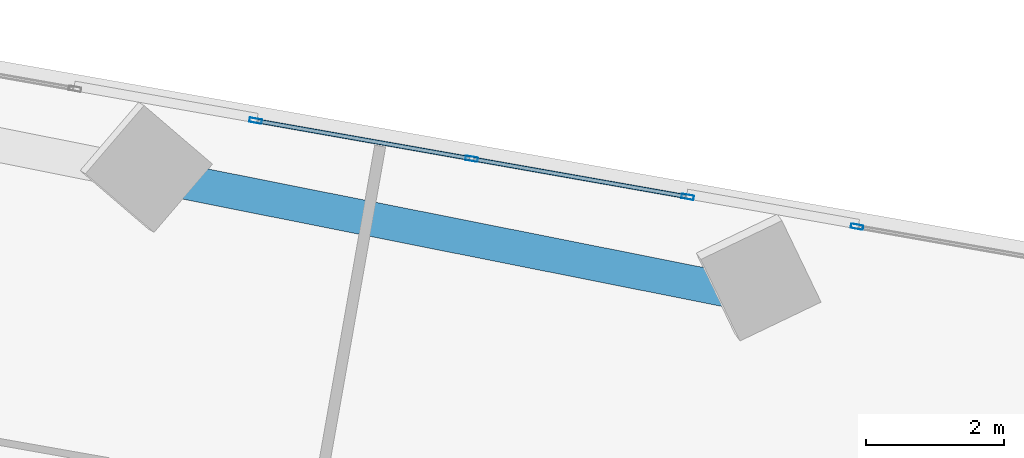
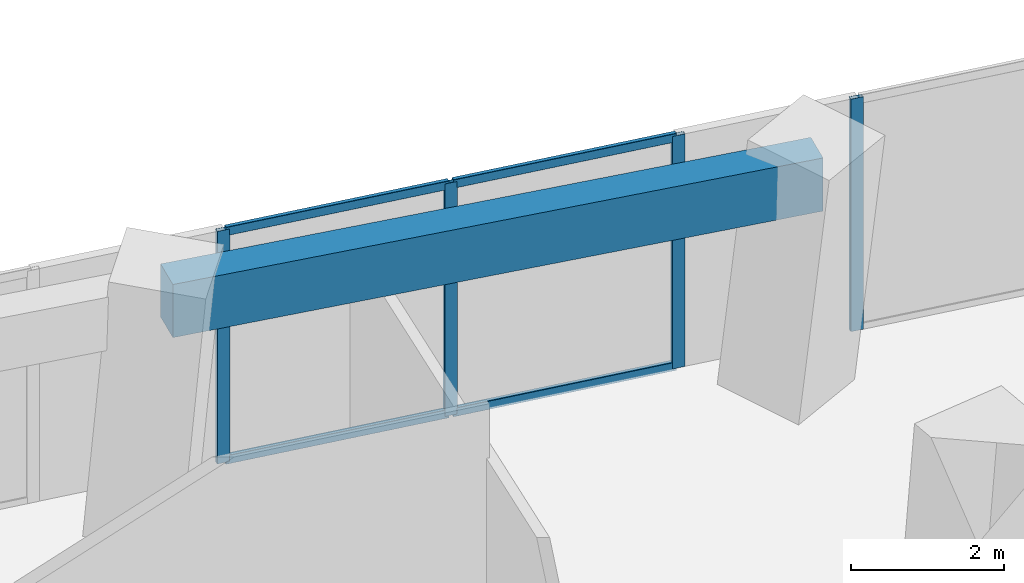
# One storey, part 17 of 24: 8 members, 1 beam, 2 elements without a shape of their own.
"""IFC4 building model written with IfcOpenShell, lengths in metres."""

from ifc_helpers import new_model, si_unit, direction, frame, origin, origin_2d, place, context, subcontext, project, spatial, rectangle, hollow_rectangle, extrude, source, transform, mapped, material, material_profile, profile_set, type_object, element, aggregate, save


model = new_model("IFC4")

# Units and contexts
model_context = context("Model", 3, precision=1e-05, world=origin(), true_north=direction((0.0, 1.0)))
body_context = subcontext(model_context, "Body", "Model", "MODEL_VIEW")
ifc_project = project(units=[si_unit("LENGTHUNIT", "METRE"), si_unit("AREAUNIT", "SQUARE_METRE"), si_unit("VOLUMEUNIT", "CUBIC_METRE"), si_unit("PLANEANGLEUNIT", "RADIAN"), si_unit("MASSUNIT", "GRAM", prefix="KILO")], contexts=[model_context])

# Site, building, storey
site_placement = place(None, origin())
site = spatial("IfcSite", under=ifc_project, at=site_placement, CompositionType="ELEMENT")
building_placement = place(site_placement, origin())
building = spatial("IfcBuilding", under=site, at=building_placement, Name="Torre Montelarca", CompositionType="ELEMENT")
storey_placement = place(building_placement, frame((0.0, 0.0, 79.0)))
storey = spatial("IfcBuildingStorey", under=building, at=storey_placement, Name="L17", CompositionType="ELEMENT", Elevation=79.0)

# Beam
ifc_material_1 = material(Name="Concrete C55/67", Category="concrete")
ifc_material_profile_1 = material_profile(ifc_material_1, rectangle(XDim=0.5, YDim=0.85009765625, at=origin_2d()), Name="RCB500X850", Category="concrete")
ifc_profile_set_1 = profile_set([ifc_material_profile_1], Name="Concrete C55/67")
beam_type = type_object("IfcBeamType", Name="BM-SP-RC850-EXT", PredefinedType="SPANDREL", material=ifc_profile_set_1)
shared_shape_1 = source(origin(), body_context, "Body", "SweptSolid", [
    extrude(rectangle(XDim=0.5, YDim=0.85009765625, at=origin_2d()), origin(), (0.0, 0.0, 1.0), 9.0),
])
beam_placement = place(storey_placement, frame((29.849853515625, 45.785888671875, 3.534912109375), z_axis=(0.980784634475, -0.195093569287, 0.0), x_axis=(0.195093569287, 0.980784634475, 0.0)))
element("IfcBeam", 1, at=beam_placement, inside=storey, type_object=beam_type, Name="L17 Grid Girder X 27.0-36.0 at Y=47.1", PredefinedType="SPANDREL", context=body_context, shape_type="MappedRepresentation", body=[
    mapped(shared_shape_1, transform((0.0, 0.0, 0.0), scale=1.0)),
])

# Curtain wall, members
ifc_material_2 = material(Name="Insulated low-E laminated glass", Category="glass")
curtain_wall_type = type_object("IfcCurtainWallType", Name="CW-SYS-Z1", PredefinedType="USERDEFINED", material=ifc_material_2)
curtain_wall_1_placement = place(storey_placement, origin())
curtain_wall_1 = element("IfcCurtainWall", 2, at=curtain_wall_1_placement, inside=storey, type_object=curtain_wall_type, Name="L17 Curtain Wall Run CW-T3-L17-E08-B2", ObjectType="UNITISED GLAZING", PredefinedType="USERDEFINED")
ifc_material_3 = material(Name="Anodised aluminium AA 6063-T6", Category="aluminium")
ifc_material_profile_2 = material_profile(ifc_material_3, hollow_rectangle(XDim=0.06494140625, YDim=0.139892578125, WallThickness=0.00390625, InnerFilletRadius=0.00390625, OuterFilletRadius=0.008056640625, at=origin_2d()), Name="ALU65X140X4", Category="aluminium")
ifc_profile_set_2 = profile_set([ifc_material_profile_2], Name="Anodised aluminium AA 6063-T6")
member_type_1 = type_object("IfcMemberType", Name="CWT-ALU140", PredefinedType="USERDEFINED", material=ifc_profile_set_2)
shared_shape_2 = source(origin(), body_context, "Body", "SweptSolid", [
    extrude(hollow_rectangle(XDim=0.06494140625, YDim=0.139892578125, WallThickness=0.00390625, InnerFilletRadius=0.00390625, OuterFilletRadius=0.008056640625, at=origin_2d()), origin(), (0.0, 0.0, 1.0), 3.107666015625),
])
member_1_placement = place(storey_placement, frame((37.393310546875, 45.515380859375, 0.032470703125), z_axis=(-0.984800162171, 0.173691221966, 0.0), x_axis=(-0.173691221966, -0.984800162171, 0.0)))
member_1 = element("IfcMember", 3, at=member_1_placement, type_object=member_type_1, Name="CW transom 1.1", ObjectType="TRANSOM", PredefinedType="USERDEFINED", context=body_context, shape_type="MappedRepresentation", body=[
    mapped(shared_shape_2, transform((0.0, 0.0, 0.0), scale=1.0)),
])
member_2_placement = place(storey_placement, frame((37.393310546875, 45.515380859375, 3.6875), z_axis=(-0.984800162171, 0.173691221966, 0.0), x_axis=(-0.173691221966, -0.984800162171, 0.0)))
member_2 = element("IfcMember", 4, at=member_2_placement, type_object=member_type_1, Name="CW transom 1.2", ObjectType="TRANSOM", PredefinedType="USERDEFINED", context=body_context, shape_type="MappedRepresentation", body=[
    mapped(shared_shape_2, transform((0.0, 0.0, 0.0), scale=1.0)),
])
member_3_placement = place(storey_placement, frame((34.2685546875, 46.06640625, 0.032470703125), z_axis=(-0.984800162171, 0.173691221966, 0.0), x_axis=(-0.173691221966, -0.984800162171, 0.0)))
member_3 = element("IfcMember", 5, at=member_3_placement, type_object=member_type_1, Name="CW transom 2.1", ObjectType="TRANSOM", PredefinedType="USERDEFINED", context=body_context, shape_type="MappedRepresentation", body=[
    mapped(shared_shape_2, transform((0.0, 0.0, 0.0), scale=1.0)),
])
member_4_placement = place(storey_placement, frame((34.2685546875, 46.06640625, 3.6875), z_axis=(-0.984800162171, 0.173691221966, 0.0), x_axis=(-0.173691221966, -0.984800162171, 0.0)))
member_4 = element("IfcMember", 6, at=member_4_placement, type_object=member_type_1, Name="CW transom 2.2", ObjectType="TRANSOM", PredefinedType="USERDEFINED", context=body_context, shape_type="MappedRepresentation", body=[
    mapped(shared_shape_2, transform((0.0, 0.0, 0.0), scale=1.0)),
])

# Curtain wall, member
curtain_wall_2_placement = place(storey_placement, origin())
curtain_wall_2 = element("IfcCurtainWall", 7, at=curtain_wall_2_placement, inside=storey, type_object=curtain_wall_type, Name="L17 Curtain Wall Run CW-T3-L17-E08-B1", ObjectType="UNITISED GLAZING", PredefinedType="USERDEFINED")
ifc_material_profile_3 = material_profile(ifc_material_3, hollow_rectangle(XDim=0.06494140625, YDim=0.179931640625, WallThickness=0.00390625, InnerFilletRadius=0.00390625, OuterFilletRadius=0.008056640625, at=origin_2d()), Name="ALU65X180X4", Category="aluminium")
ifc_profile_set_3 = profile_set([ifc_material_profile_3], Name="Anodised aluminium AA 6063-T6")
member_type_2 = type_object("IfcMemberType", Name="CWM-ALU180", PredefinedType="MULLION", material=ifc_profile_set_3)
shared_shape_3 = source(origin(), body_context, "Body", "SweptSolid", [
    extrude(hollow_rectangle(XDim=0.06494140625, YDim=0.179931640625, WallThickness=0.00390625, InnerFilletRadius=0.00390625, OuterFilletRadius=0.008056640625, at=origin_2d()), origin(), (0.0, 0.0, 1.0), 3.719970703125),
])
member_5_placement = place(storey_placement, frame((39.876220703125, 45.07763671875, 0.0), z_axis=(0.0, 0.0, 1.0), x_axis=(-0.173647689249, -0.984807839133, 0.0)))
member_5 = element("IfcMember", 8, at=member_5_placement, type_object=member_type_2, Name="CW mullion 3", PredefinedType="MULLION", context=body_context, shape_type="MappedRepresentation", body=[
    mapped(shared_shape_3, transform((0.0, 0.0, 0.0), scale=1.0)),
])
aggregate(curtain_wall_2, [member_5])

# Member
member_6_placement = place(storey_placement, frame((37.42529296875, 45.509765625, 0.0), z_axis=(0.0, 0.0, 1.0), x_axis=(-0.173642067006, -0.984808830467, 0.0)))
member_6 = element("IfcMember", 9, at=member_6_placement, type_object=member_type_2, Name="CW mullion 1", PredefinedType="MULLION", context=body_context, shape_type="MappedRepresentation", body=[
    mapped(shared_shape_3, transform((0.0, 0.0, 0.0), scale=1.0)),
])

member_7_placement = place(storey_placement, frame((34.300537109375, 46.060791015625, 0.0), z_axis=(0.0, 0.0, 1.0), x_axis=(-0.173642067006, -0.984808830467, 0.0)))
member_7 = element("IfcMember", 10, at=member_7_placement, type_object=member_type_2, Name="CW mullion 2", PredefinedType="MULLION", context=body_context, shape_type="MappedRepresentation", body=[
    mapped(shared_shape_3, transform((0.0, 0.0, 0.0), scale=1.0)),
])

member_8_placement = place(storey_placement, frame((31.176025390625, 46.61181640625, 0.0), z_axis=(0.0, 0.0, 1.0), x_axis=(-0.173642067006, -0.984808830467, 0.0)))
member_8 = element("IfcMember", 11, at=member_8_placement, type_object=member_type_2, Name="CW mullion 3", PredefinedType="MULLION", context=body_context, shape_type="MappedRepresentation", body=[
    mapped(shared_shape_3, transform((0.0, 0.0, 0.0), scale=1.0)),
])

aggregate(curtain_wall_1, [member_6, member_7, member_8, member_1, member_2, member_3, member_4])

save(model, "model.ifc")
